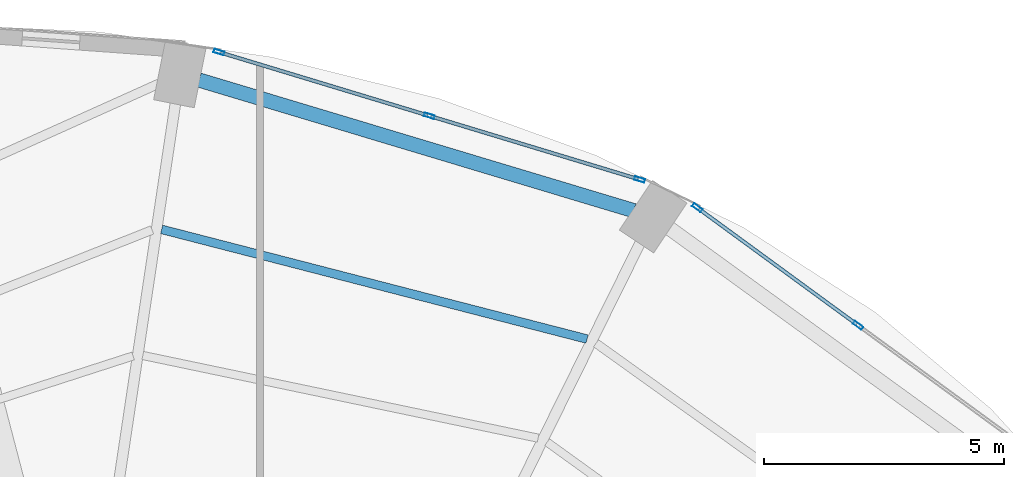
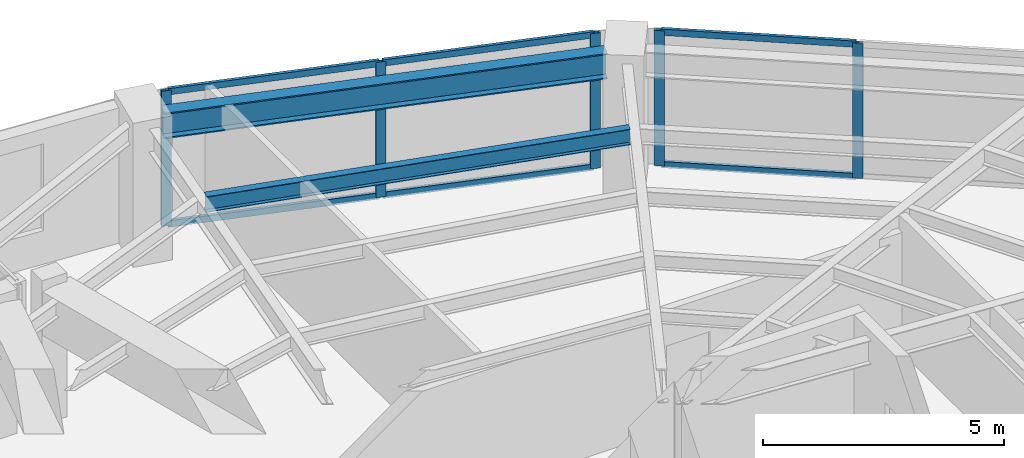
# One storey, part 18 of 25: 11 members, 2 beams, 2 elements without a shape of their own.
"""IFC4 building model written with IfcOpenShell, lengths in metres."""

from ifc_helpers import new_model, si_unit, direction, frame, origin, origin_2d, place, context, subcontext, project, spatial, hollow_rectangle, i_section, extrude, material, layer, layer_set, material_profile, profile_set, type_object, element, aggregate, save


model = new_model("IFC4")

# Units and contexts
model_context = context("Model", 3, precision=1e-05, world=origin(), true_north=direction((0.0, 1.0)))
body_context = subcontext(model_context, "Body", "Model", "MODEL_VIEW")
ifc_project = project(units=[si_unit("LENGTHUNIT", "METRE"), si_unit("AREAUNIT", "SQUARE_METRE"), si_unit("VOLUMEUNIT", "CUBIC_METRE"), si_unit("PLANEANGLEUNIT", "RADIAN"), si_unit("MASSUNIT", "GRAM", prefix="KILO")], contexts=[model_context])

# Site, building, storey
site_placement = place(None, origin())
site = spatial("IfcSite", under=ifc_project, at=site_placement, CompositionType="ELEMENT")
building_placement = place(site_placement, origin())
building = spatial("IfcBuilding", under=site, at=building_placement, Name="Lazwardi Medical Tower", CompositionType="ELEMENT")
storey_placement = place(building_placement, frame((0.0, 0.0, 43.43994140625)))
storey = spatial("IfcBuildingStorey", under=building, at=storey_placement, Name="L10", CompositionType="ELEMENT", Elevation=43.43994140625)

# Beams
ifc_material_1 = material(Name="Steel S355", Category="steel")
ifc_material_profile_1 = material_profile(ifc_material_1, i_section(OverallWidth=0.300048828125, OverallDepth=0.64990234375, WebThickness=0.01611328125, FlangeThickness=0.031005859375, at=origin_2d()), Name="HEB 650")
ifc_profile_set_1 = profile_set([ifc_material_profile_1], Name="Steel S355")
beam_type_1 = type_object("IfcBeamType", Name="BM-RB-Z1", PredefinedType="BEAM", material=ifc_profile_set_1)
beam_1_placement = place(storey_placement, frame((50.77880859375, 47.0048828125, 3.10302734375), z_axis=(-0.957695289269, 0.287784177662, 0.0), x_axis=(-0.287784177662, -0.957695289269, 0.0)))
element("IfcBeam", 1, at=beam_1_placement, inside=storey, type_object=beam_type_1, Name="Ring beam RB-02 B07 L10", PredefinedType="BEAM", context=body_context, shape_type="SweptSolid", body=[
    extrude(i_section(OverallWidth=0.300048828125, OverallDepth=0.64990234375, WebThickness=0.01611328125, FlangeThickness=0.031005859375, at=origin_2d()), origin(), (0.0, 0.0, 1.0), 9.445556640625),
])
ifc_material_profile_2 = material_profile(ifc_material_1, i_section(OverallWidth=0.179931640625, OverallDepth=0.39990234375, WebThickness=0.008544921875, FlangeThickness=0.013427734375, at=origin_2d()), Name="IPE 400")
ifc_profile_set_2 = profile_set([ifc_material_profile_2], Name="Steel S355")
beam_type_2 = type_object("IfcBeamType", Name="BM-SJ-01", PredefinedType="JOIST", material=ifc_profile_set_2)
beam_2_placement = place(storey_placement, frame((49.804931640625, 44.333251953125, 3.22802734375), z_axis=(-0.968316918308, 0.249724539682, 0.0), x_axis=(-0.249724539682, -0.968316918308, 0.0)))
element("IfcBeam", 2, at=beam_2_placement, inside=storey, type_object=beam_type_2, Name="Secondary joist SJ-01 R1 B07 L10", PredefinedType="JOIST", context=body_context, shape_type="SweptSolid", body=[
    extrude(i_section(OverallWidth=0.179931640625, OverallDepth=0.39990234375, WebThickness=0.008544921875, FlangeThickness=0.013427734375, at=origin_2d()), origin(), (0.0, 0.0, 1.0), 9.140869140625),
])

# Curtain wall, members
ifc_material_2 = material(Name="Anodised bronze aluminium and solar control glazing", Category="aluminium")
ifc_layer = layer(ifc_material_2, 0.199951171875)
ifc_layer_set = layer_set([ifc_layer], Name="Anodised bronze aluminium and solar control glazing")
curtain_wall_type = type_object("IfcCurtainWallType", Name="CW-SYS-02", PredefinedType="NOTDEFINED", material=ifc_layer_set)
curtain_wall_1_placement = place(storey_placement, origin())
curtain_wall_1 = element("IfcCurtainWall", 3, at=curtain_wall_1_placement, inside=storey, type_object=curtain_wall_type, Name="L10 Unitised bronze curtain wall CW-02", PredefinedType="NOTDEFINED")
ifc_material_3 = material(Name="Anodised bronze aluminium", Category="aluminium")
ifc_material_profile_3 = material_profile(ifc_material_3, hollow_rectangle(XDim=0.074951171875, YDim=0.219970703125, WallThickness=0.00390625, at=origin_2d()), Name="ALU-MULLION 220x75x4")
ifc_profile_set_3 = profile_set([ifc_material_profile_3], Name="Anodised bronze aluminium")
member_type_1 = type_object("IfcMemberType", Name="CW-MUL-01", PredefinedType="MULLION", material=ifc_profile_set_3)
member_1_placement = place(storey_placement, frame((55.4443359375, 44.619384765625, 0.0), z_axis=(0.0, 0.0, 1.0), x_axis=(-0.590289307341, -0.807191757663, 0.0)))
member_1 = element("IfcMember", 4, at=member_1_placement, type_object=member_type_1, Name="CW-02 mullion 2", PredefinedType="MULLION", context=body_context, shape_type="SweptSolid", body=[
    extrude(hollow_rectangle(XDim=0.074951171875, YDim=0.219970703125, WallThickness=0.00390625, at=origin_2d()), origin(), (0.0, 0.0, 1.0), 3.427978515625),
])
member_2_placement = place(storey_placement, frame((52.0986328125, 47.066162109375, 0.0), z_axis=(0.0, 0.0, 1.0), x_axis=(-0.590289307341, -0.807191757663, 0.0)))
member_2 = element("IfcMember", 5, at=member_2_placement, type_object=member_type_1, Name="CW-02 mullion 3", PredefinedType="MULLION", context=body_context, shape_type="SweptSolid", body=[
    extrude(hollow_rectangle(XDim=0.074951171875, YDim=0.219970703125, WallThickness=0.00390625, at=origin_2d()), origin(), (0.0, 0.0, 1.0), 3.427978515625),
])

curtain_wall_2_placement = place(storey_placement, origin())
curtain_wall_2 = element("IfcCurtainWall", 6, at=curtain_wall_2_placement, inside=storey, type_object=curtain_wall_type, Name="L10 Unitised bronze curtain wall CW-02", PredefinedType="NOTDEFINED")
member_3_placement = place(storey_placement, frame((50.8984375, 47.653076171875, 0.0), z_axis=(0.0, 0.0, 1.0), x_axis=(-0.2898956909, -0.957058247129, 0.0)))
member_3 = element("IfcMember", 7, at=member_3_placement, type_object=member_type_1, Name="CW-02 mullion 1", PredefinedType="MULLION", context=body_context, shape_type="SweptSolid", body=[
    extrude(hollow_rectangle(XDim=0.074951171875, YDim=0.219970703125, WallThickness=0.00390625, at=origin_2d()), origin(), (0.0, 0.0, 1.0), 3.427978515625),
])
member_4_placement = place(storey_placement, frame((46.523193359375, 48.978515625, 0.0), z_axis=(0.0, 0.0, 1.0), x_axis=(-0.2898956909, -0.957058247129, 0.0)))
member_4 = element("IfcMember", 8, at=member_4_placement, type_object=member_type_1, Name="CW-02 mullion 2", PredefinedType="MULLION", context=body_context, shape_type="SweptSolid", body=[
    extrude(hollow_rectangle(XDim=0.074951171875, YDim=0.219970703125, WallThickness=0.00390625, at=origin_2d()), origin(), (0.0, 0.0, 1.0), 3.427978515625),
])
member_5_placement = place(storey_placement, frame((42.14794921875, 50.3037109375, 0.0), z_axis=(0.0, 0.0, 1.0), x_axis=(-0.2898956909, -0.957058247129, 0.0)))
member_5 = element("IfcMember", 9, at=member_5_placement, type_object=member_type_1, Name="CW-02 mullion 3", PredefinedType="MULLION", context=body_context, shape_type="SweptSolid", body=[
    extrude(hollow_rectangle(XDim=0.074951171875, YDim=0.219970703125, WallThickness=0.00390625, at=origin_2d()), origin(), (0.0, 0.0, 1.0), 3.427978515625),
])

# Member
ifc_material_profile_4 = material_profile(ifc_material_3, hollow_rectangle(XDim=0.074951171875, YDim=0.159912109375, WallThickness=0.00390625, at=origin_2d()), Name="ALU-TRANSOM 160x75x4")
ifc_profile_set_4 = profile_set([ifc_material_profile_4], Name="Anodised bronze aluminium")
member_type_2 = type_object("IfcMemberType", Name="CW-TRN-01", PredefinedType="USERDEFINED", material=ifc_profile_set_4)
member_6_placement = place(storey_placement, frame((55.4140625, 44.641357421875, 0.03759765625), z_axis=(-0.807169053975, 0.590320352271, 0.0), x_axis=(-0.590320352271, -0.807169053975, 0.0)))
member_6 = element("IfcMember", 10, at=member_6_placement, type_object=member_type_2, Name="CW-02 transom 2.1", ObjectType="TRANSOM", PredefinedType="USERDEFINED", context=body_context, shape_type="SweptSolid", body=[
    extrude(hollow_rectangle(XDim=0.074951171875, YDim=0.159912109375, WallThickness=0.00390625, at=origin_2d()), origin(), (0.0, 0.0, 1.0), 4.070068359375),
])

member_7_placement = place(storey_placement, frame((55.4140625, 44.641357421875, 3.390625), z_axis=(-0.807169053975, 0.590320352271, 0.0), x_axis=(-0.590320352271, -0.807169053975, 0.0)))
member_7 = element("IfcMember", 11, at=member_7_placement, type_object=member_type_2, Name="CW-02 transom 2.2", ObjectType="TRANSOM", PredefinedType="USERDEFINED", context=body_context, shape_type="SweptSolid", body=[
    extrude(hollow_rectangle(XDim=0.074951171875, YDim=0.159912109375, WallThickness=0.00390625, at=origin_2d()), origin(), (0.0, 0.0, 1.0), 4.070068359375),
])

aggregate(curtain_wall_1, [member_1, member_2, member_6, member_7])

member_8_placement = place(storey_placement, frame((50.862548828125, 47.6640625, 0.03759765625), z_axis=(-0.957062297904, 0.289882317383, 0.0), x_axis=(-0.289882317383, -0.957062297904, 0.0)))
member_8 = element("IfcMember", 12, at=member_8_placement, type_object=member_type_2, Name="CW-02 transom 1.1", ObjectType="TRANSOM", PredefinedType="USERDEFINED", context=body_context, shape_type="SweptSolid", body=[
    extrude(hollow_rectangle(XDim=0.074951171875, YDim=0.159912109375, WallThickness=0.00390625, at=origin_2d()), origin(), (0.0, 0.0, 1.0), 4.49658203125),
])

member_9_placement = place(storey_placement, frame((50.862548828125, 47.6640625, 3.390625), z_axis=(-0.957062297904, 0.289882317383, 0.0), x_axis=(-0.289882317383, -0.957062297904, 0.0)))
member_9 = element("IfcMember", 13, at=member_9_placement, type_object=member_type_2, Name="CW-02 transom 1.2", ObjectType="TRANSOM", PredefinedType="USERDEFINED", context=body_context, shape_type="SweptSolid", body=[
    extrude(hollow_rectangle(XDim=0.074951171875, YDim=0.159912109375, WallThickness=0.00390625, at=origin_2d()), origin(), (0.0, 0.0, 1.0), 4.49658203125),
])

member_10_placement = place(storey_placement, frame((46.4873046875, 48.9892578125, 0.03759765625), z_axis=(-0.957047233423, 0.28993204893, 0.0), x_axis=(-0.28993204893, -0.957047233423, 0.0)))
member_10 = element("IfcMember", 14, at=member_10_placement, type_object=member_type_2, Name="CW-02 transom 2.1", ObjectType="TRANSOM", PredefinedType="USERDEFINED", context=body_context, shape_type="SweptSolid", body=[
    extrude(hollow_rectangle(XDim=0.074951171875, YDim=0.159912109375, WallThickness=0.00390625, at=origin_2d()), origin(), (0.0, 0.0, 1.0), 4.49658203125),
])

member_11_placement = place(storey_placement, frame((46.4873046875, 48.9892578125, 3.390625), z_axis=(-0.957047233423, 0.28993204893, 0.0), x_axis=(-0.28993204893, -0.957047233423, 0.0)))
member_11 = element("IfcMember", 15, at=member_11_placement, type_object=member_type_2, Name="CW-02 transom 2.2", ObjectType="TRANSOM", PredefinedType="USERDEFINED", context=body_context, shape_type="SweptSolid", body=[
    extrude(hollow_rectangle(XDim=0.074951171875, YDim=0.159912109375, WallThickness=0.00390625, at=origin_2d()), origin(), (0.0, 0.0, 1.0), 4.49658203125),
])

aggregate(curtain_wall_2, [member_3, member_4, member_5, member_8, member_9, member_10, member_11])

save(model, "model.ifc")
